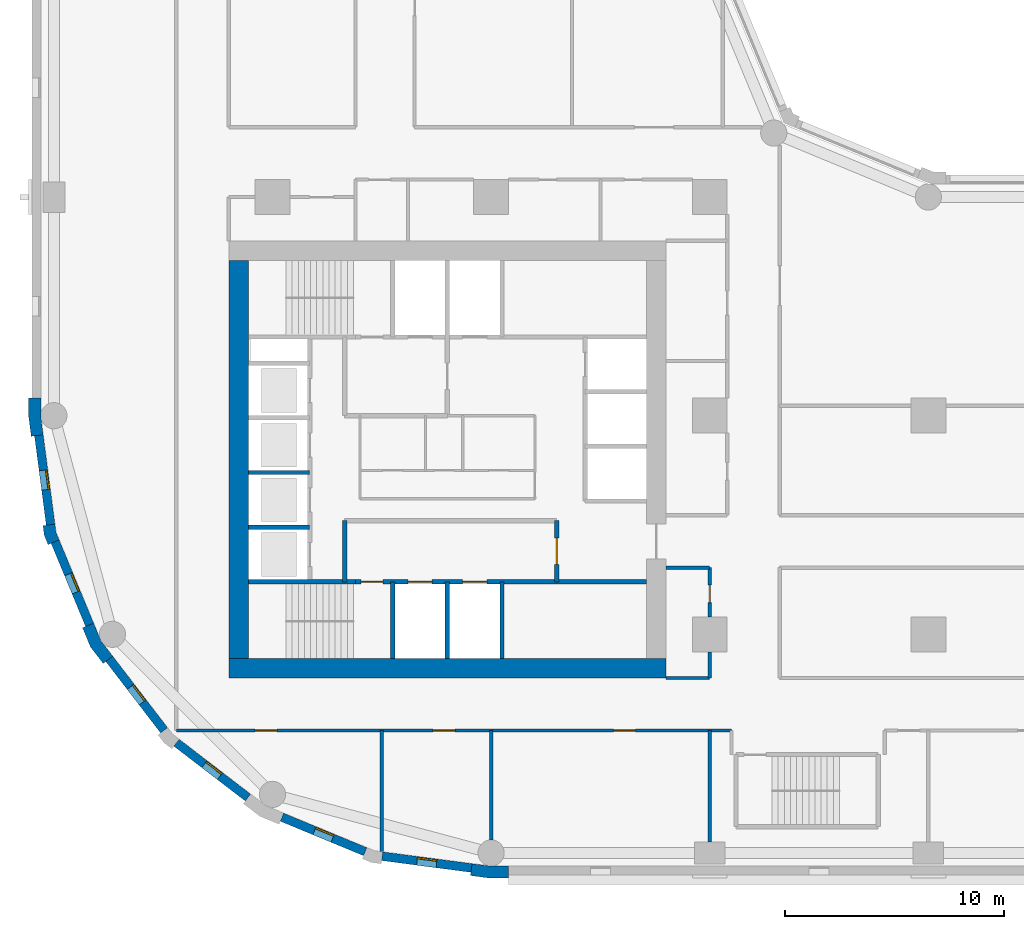
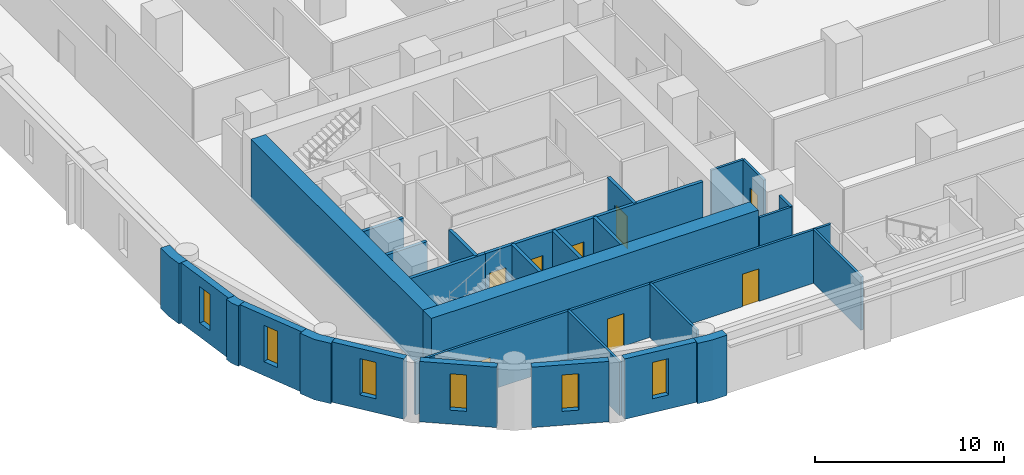
# One storey, part 2 of 10: 29 walls, 8 doors, 6 windows, 14 openings.
"""IFC4 building model written with IfcOpenShell, lengths in metres."""

from ifc_helpers import new_model, si_unit, direction, frame, frame_2d, origin, place, context, subcontext, project, spatial, polyline, rectangle, outline, extrude, material, layer, layer_set, type_object, element, fill, save


model = new_model("IFC4")

# Units and contexts
model_context = context("Model", 3, precision=1e-05, world=origin(), true_north=direction((0.0, 1.0)))
body_context = subcontext(model_context, "Body", "Model", "MODEL_VIEW")
ifc_project = project(units=[si_unit("LENGTHUNIT", "METRE"), si_unit("AREAUNIT", "SQUARE_METRE"), si_unit("VOLUMEUNIT", "CUBIC_METRE"), si_unit("PLANEANGLEUNIT", "RADIAN"), si_unit("MASSUNIT", "GRAM", prefix="KILO")], contexts=[model_context])

# Site, building, storey
site_placement = place(None, origin())
site = spatial("IfcSite", under=ifc_project, at=site_placement, CompositionType="ELEMENT")
building_placement = place(site_placement, origin())
building = spatial("IfcBuilding", under=site, at=building_placement, Name="Qaws Garden Tower", CompositionType="ELEMENT")
storey_placement = place(building_placement, frame((0.0, 0.0, 113.39990234375)))
storey = spatial("IfcBuildingStorey", under=building, at=storey_placement, Name="L28", CompositionType="ELEMENT", Elevation=113.39990234375)

# Wall, opening, window
ifc_material_1 = material(Name="Buff clay facing brick masonry", Category="masonry")
ifc_layer_1 = layer(ifc_material_1, 0.39990234375)
ifc_layer_set_1 = layer_set([ifc_layer_1], Name="Buff clay facing brick masonry")
wall_type_1 = type_object("IfcWallType", Name="Buff brick infill wall 400", PredefinedType="SOLIDWALL", material=ifc_layer_set_1)
wall_1_placement = place(storey_placement, frame((-0.688720703125, 19.102294921875, 0.0), z_axis=(0.0, 0.0, 1.0), x_axis=(0.130514280502, -0.991446429508, 0.0)))
wall_1 = element("IfcWall", 1, at=wall_1_placement, inside=storey, type_object=wall_type_1, Name="E-L28-infill-27", PredefinedType="SOLIDWALL", context=body_context, shape_type="SweptSolid", body=[
    extrude(rectangle(XDim=4.120849609375, YDim=0.39990234375, at=frame_2d((2.060546875, 0.0))), origin(), (0.0, 0.0, 1.0), 3.900146484375),
])
opening_1_placement = place(wall_1_placement, frame((1.610595703125, 0.0, 0.89990234375)))
opening_1 = element("IfcOpeningElement", 2, at=opening_1_placement, cuts=wall_1, Name="Opening W09", PredefinedType="OPENING", context=body_context, shape_type="SweptSolid", body=[
    extrude(rectangle(XDim=0.89990234375, YDim=2.35009765625, at=frame_2d((0.449951171875, 1.175048828125))), frame((0.0, 0.2099609375, 0.0), z_axis=(0.0, -1.0, 0.0), x_axis=(1.0, 0.0, 0.0)), (0.0, 0.0, 1.0), 0.419921875),
])
ifc_material_2 = material(Name="Aluminium framed window, clear glazing", Category="aluminium")
window_type = type_object("IfcWindowType", Name="Slit window 900 x 2350", PartitioningType="SINGLE_PANEL", PredefinedType="WINDOW", material=ifc_material_2)
window_1_placement = place(opening_1_placement, origin())
window_1 = element("IfcWindow", 3, at=window_1_placement, inside=storey, type_object=window_type, Name="E-L28-window-27-0", OverallHeight=2.35009765625, OverallWidth=0.89990234375, PartitioningType="SINGLE_PANEL", PredefinedType="WINDOW", context=body_context, shape_type="SweptSolid", body=[
    extrude(rectangle(XDim=0.89990234375, YDim=2.35009765625, at=frame_2d((0.449951171875, 1.175048828125))), frame((0.0, 0.159912109375, 0.0), z_axis=(0.0, -1.0, 0.0), x_axis=(1.0, 0.0, 0.0)), (0.0, 0.0, 1.0), 0.06005859375),
])
fill(opening_1, window_1)

wall_2_placement = place(storey_placement, frame((0.05712890625, 14.240234375, 0.0), z_axis=(0.0, 0.0, 1.0), x_axis=(0.382721546029, -0.923863744394, 0.0)))
wall_2 = element("IfcWall", 4, at=wall_2_placement, inside=storey, type_object=wall_type_1, Name="E-L28-infill-28", PredefinedType="SOLIDWALL", context=body_context, shape_type="SweptSolid", body=[
    extrude(rectangle(XDim=4.120849609375, YDim=0.39990234375, at=frame_2d((2.060546875, 0.0))), origin(), (0.0, 0.0, 1.0), 3.900146484375),
])
opening_2_placement = place(wall_2_placement, frame((1.610595703125, 0.0, 0.89990234375)))
opening_2 = element("IfcOpeningElement", 5, at=opening_2_placement, cuts=wall_2, Name="Opening W09", PredefinedType="OPENING", context=body_context, shape_type="SweptSolid", body=[
    extrude(rectangle(XDim=0.89990234375, YDim=2.35009765625, at=frame_2d((0.449951171875, 1.175048828125))), frame((0.0, 0.2099609375, 0.0), z_axis=(0.0, -1.0, 0.0), x_axis=(1.0, 0.0, 0.0)), (0.0, 0.0, 1.0), 0.419921875),
])
window_2_placement = place(opening_2_placement, origin())
window_2 = element("IfcWindow", 6, at=window_2_placement, inside=storey, type_object=window_type, Name="E-L28-window-28-0", OverallHeight=2.35009765625, OverallWidth=0.89990234375, PartitioningType="SINGLE_PANEL", PredefinedType="WINDOW", context=body_context, shape_type="SweptSolid", body=[
    extrude(rectangle(XDim=0.89990234375, YDim=2.35009765625, at=frame_2d((0.449951171875, 1.175048828125))), frame((0.0, 0.159912109375, 0.0), z_axis=(0.0, -1.0, 0.0), x_axis=(1.0, 0.0, 0.0)), (0.0, 0.0, 1.0), 0.06005859375),
])
fill(opening_2, window_2)

wall_3_placement = place(storey_placement, frame((2.53173828125, 8.87841796875, 0.0), z_axis=(0.0, 0.0, 1.0), x_axis=(0.608759824817, -0.793354571229, 0.0)))
wall_3 = element("IfcWall", 7, at=wall_3_placement, inside=storey, type_object=wall_type_1, Name="E-L28-infill-29", PredefinedType="SOLIDWALL", context=body_context, shape_type="SweptSolid", body=[
    extrude(rectangle(XDim=4.12109375, YDim=0.39990234375, at=frame_2d((2.060546875, 0.0))), origin(), (0.0, 0.0, 1.0), 3.900146484375),
])
opening_3_placement = place(wall_3_placement, frame((1.610595703125, 0.0, 0.89990234375)))
opening_3 = element("IfcOpeningElement", 8, at=opening_3_placement, cuts=wall_3, Name="Opening W09", PredefinedType="OPENING", context=body_context, shape_type="SweptSolid", body=[
    extrude(rectangle(XDim=0.89990234375, YDim=2.35009765625, at=frame_2d((0.449951171875, 1.175048828125))), frame((0.0, 0.2099609375, 0.0), z_axis=(0.0, -1.0, 0.0), x_axis=(1.0, 0.0, 0.0)), (0.0, 0.0, 1.0), 0.419921875),
])
window_3_placement = place(opening_3_placement, origin())
window_3 = element("IfcWindow", 9, at=window_3_placement, inside=storey, type_object=window_type, Name="E-L28-window-29-0", OverallHeight=2.35009765625, OverallWidth=0.89990234375, PartitioningType="SINGLE_PANEL", PredefinedType="WINDOW", context=body_context, shape_type="SweptSolid", body=[
    extrude(rectangle(XDim=0.89990234375, YDim=2.35009765625, at=frame_2d((0.449951171875, 1.175048828125))), frame((0.0, 0.159912109375, 0.0), z_axis=(0.0, -1.0, 0.0), x_axis=(1.0, 0.0, 0.0)), (0.0, 0.0, 1.0), 0.06005859375),
])
fill(opening_3, window_3)

wall_4_placement = place(storey_placement, frame((5.60888671875, 5.04052734375, 0.0), z_axis=(0.0, 0.0, 1.0), x_axis=(0.793354571229, -0.608759824817, 0.0)))
wall_4 = element("IfcWall", 10, at=wall_4_placement, inside=storey, type_object=wall_type_1, Name="E-L28-infill-30", PredefinedType="SOLIDWALL", context=body_context, shape_type="SweptSolid", body=[
    extrude(rectangle(XDim=4.12109375, YDim=0.39990234375, at=frame_2d((2.060546875, 0.0))), origin(), (0.0, 0.0, 1.0), 3.900146484375),
])
opening_4_placement = place(wall_4_placement, frame((1.610595703125, 0.0, 0.89990234375)))
opening_4 = element("IfcOpeningElement", 11, at=opening_4_placement, cuts=wall_4, Name="Opening W09", PredefinedType="OPENING", context=body_context, shape_type="SweptSolid", body=[
    extrude(rectangle(XDim=0.89990234375, YDim=2.35009765625, at=frame_2d((0.449951171875, 1.175048828125))), frame((0.0, 0.2099609375, 0.0), z_axis=(0.0, -1.0, 0.0), x_axis=(1.0, 0.0, 0.0)), (0.0, 0.0, 1.0), 0.419921875),
])
window_4_placement = place(opening_4_placement, origin())
window_4 = element("IfcWindow", 12, at=window_4_placement, inside=storey, type_object=window_type, Name="E-L28-window-30-0", OverallHeight=2.35009765625, OverallWidth=0.89990234375, PartitioningType="SINGLE_PANEL", PredefinedType="WINDOW", context=body_context, shape_type="SweptSolid", body=[
    extrude(rectangle(XDim=0.89990234375, YDim=2.35009765625, at=frame_2d((0.449951171875, 1.175048828125))), frame((0.0, 0.159912109375, 0.0), z_axis=(0.0, -1.0, 0.0), x_axis=(1.0, 0.0, 0.0)), (0.0, 0.0, 1.0), 0.06005859375),
])
fill(opening_4, window_4)

wall_5_placement = place(storey_placement, frame((10.43310546875, 1.63427734375, 0.0), z_axis=(0.0, 0.0, 1.0), x_axis=(0.923863744394, -0.382721546029, 0.0)))
wall_5 = element("IfcWall", 13, at=wall_5_placement, inside=storey, type_object=wall_type_1, Name="E-L28-infill-31", PredefinedType="SOLIDWALL", context=body_context, shape_type="SweptSolid", body=[
    extrude(rectangle(XDim=4.120849609375, YDim=0.39990234375, at=frame_2d((2.060546875, 0.0))), origin(), (0.0, 0.0, 1.0), 3.900146484375),
])
opening_5_placement = place(wall_5_placement, frame((1.610595703125, 0.0, 0.89990234375)))
opening_5 = element("IfcOpeningElement", 14, at=opening_5_placement, cuts=wall_5, Name="Opening W09", PredefinedType="OPENING", context=body_context, shape_type="SweptSolid", body=[
    extrude(rectangle(XDim=0.89990234375, YDim=2.35009765625, at=frame_2d((0.449951171875, 1.175048828125))), frame((0.0, 0.2099609375, 0.0), z_axis=(0.0, -1.0, 0.0), x_axis=(1.0, 0.0, 0.0)), (0.0, 0.0, 1.0), 0.419921875),
])
window_5_placement = place(opening_5_placement, origin())
window_5 = element("IfcWindow", 15, at=window_5_placement, inside=storey, type_object=window_type, Name="E-L28-window-31-0", OverallHeight=2.35009765625, OverallWidth=0.89990234375, PartitioningType="SINGLE_PANEL", PredefinedType="WINDOW", context=body_context, shape_type="SweptSolid", body=[
    extrude(rectangle(XDim=0.89990234375, YDim=2.35009765625, at=frame_2d((0.449951171875, 1.175048828125))), frame((0.0, 0.159912109375, 0.0), z_axis=(0.0, -1.0, 0.0), x_axis=(1.0, 0.0, 0.0)), (0.0, 0.0, 1.0), 0.06005859375),
])
fill(opening_5, window_5)

wall_6_placement = place(storey_placement, frame((15.0166015625, -0.15087890625, 0.0), z_axis=(0.0, 0.0, 1.0), x_axis=(0.991446429508, -0.130514280502, 0.0)))
wall_6 = element("IfcWall", 16, at=wall_6_placement, inside=storey, type_object=wall_type_1, Name="E-L28-infill-32", PredefinedType="SOLIDWALL", context=body_context, shape_type="SweptSolid", body=[
    extrude(rectangle(XDim=4.120849609375, YDim=0.39990234375, at=frame_2d((2.060546875, 0.0))), origin(), (0.0, 0.0, 1.0), 3.900146484375),
])
opening_6_placement = place(wall_6_placement, frame((1.610595703125, 0.0, 0.89990234375)))
opening_6 = element("IfcOpeningElement", 17, at=opening_6_placement, cuts=wall_6, Name="Opening W09", PredefinedType="OPENING", context=body_context, shape_type="SweptSolid", body=[
    extrude(rectangle(XDim=0.89990234375, YDim=2.35009765625, at=frame_2d((0.449951171875, 1.175048828125))), frame((0.0, 0.2099609375, 0.0), z_axis=(0.0, -1.0, 0.0), x_axis=(1.0, 0.0, 0.0)), (0.0, 0.0, 1.0), 0.419921875),
])
window_6_placement = place(opening_6_placement, origin())
window_6 = element("IfcWindow", 18, at=window_6_placement, inside=storey, type_object=window_type, Name="E-L28-window-32-0", OverallHeight=2.35009765625, OverallWidth=0.89990234375, PartitioningType="SINGLE_PANEL", PredefinedType="WINDOW", context=body_context, shape_type="SweptSolid", body=[
    extrude(rectangle(XDim=0.89990234375, YDim=2.35009765625, at=frame_2d((0.449951171875, 1.175048828125))), frame((0.0, 0.159912109375, 0.0), z_axis=(0.0, -1.0, 0.0), x_axis=(1.0, 0.0, 0.0)), (0.0, 0.0, 1.0), 0.06005859375),
])
fill(opening_6, window_6)

# Walls
ifc_material_3 = material(Name="Buff clay facing brick masonry", Category="masonry")
ifc_layer_2 = layer(ifc_material_3, 0.550048828125)
ifc_layer_set_2 = layer_set([ifc_layer_2], Name="Buff clay facing brick masonry")
wall_type_2 = type_object("IfcWallType", Name="Buff brick kink pier 550 x 600", PredefinedType="SOLIDWALL", material=ifc_layer_set_2)
placement = place(storey_placement, origin())
element("IfcWall", 19, at=placement, inside=storey, type_object=wall_type_2, Name="E-L28-pier-28", PredefinedType="SOLIDWALL", context=body_context, shape_type="SweptSolid", body=[
    extrude(outline(polyline([(-0.34912109375, 14.990478515625), (-0.497802734375, 14.970947265625), (-0.43896484375, 14.5234375), (-0.26611328125, 14.1064453125), (-0.127685546875, 14.163818359375), (0.241943359375, 14.31689453125), (0.096923828125, 14.6669921875), (0.04736328125, 15.042724609375), (-0.34912109375, 14.990478515625)])), origin(), (0.0, 0.0, 1.0), 3.900146484375),
])
ifc_material_4 = material(Name="Buff clay facing brick masonry", Category="masonry")
ifc_layer_3 = layer(ifc_material_4, 0.550048828125)
ifc_layer_set_3 = layer_set([ifc_layer_3], Name="Buff clay facing brick masonry")
wall_type_3 = type_object("IfcWallType", Name="Buff brick pier 550 x 1600", PredefinedType="SOLIDWALL", material=ifc_layer_set_3)
element("IfcWall", 20, at=placement, inside=storey, type_object=wall_type_3, Name="E-L28-pier-00", PredefinedType="SOLIDWALL", context=body_context, shape_type="SweptSolid", body=[
    extrude(outline(polyline([(19.076416015625, -0.886962890625), (19.056640625, -1.03564453125), (19.924560546875, -1.14990234375), (20.800048828125, -1.14990234375), (20.800048828125, -1.0), (20.800048828125, -0.60009765625), (19.960693359375, -0.60009765625), (19.12841796875, -0.490478515625), (19.076416015625, -0.886962890625)])), origin(), (0.0, 0.0, 1.0), 3.900146484375),
])
element("IfcWall", 21, at=placement, inside=storey, type_object=wall_type_3, Name="E-L28-pier-27", PredefinedType="SOLIDWALL", context=body_context, shape_type="SweptSolid", body=[
    extrude(outline(polyline([(-1.0, 20.800048828125), (-1.14990234375, 20.800048828125), (-1.14990234375, 19.924560546875), (-1.03564453125, 19.056640625), (-0.886962890625, 19.076416015625), (-0.490478515625, 19.12841796875), (-0.60009765625, 19.960693359375), (-0.60009765625, 20.800048828125), (-1.0, 20.800048828125)])), origin(), (0.0, 0.0, 1.0), 3.900146484375),
])
element("IfcWall", 22, at=placement, inside=storey, type_object=wall_type_3, Name="E-L28-pier-29", PredefinedType="SOLIDWALL", context=body_context, shape_type="SweptSolid", body=[
    extrude(outline(polyline([(1.449462890625, 10.3564453125), (1.310791015625, 10.299072265625), (1.675048828125, 9.419921875), (2.254150390625, 8.665283203125), (2.373046875, 8.756591796875), (2.6904296875, 9.0), (2.1552734375, 9.697509765625), (1.819091796875, 10.509521484375), (1.449462890625, 10.3564453125)])), origin(), (0.0, 0.0, 1.0), 3.900146484375),
])
ifc_material_5 = material(Name="Concrete C80", Category="concrete")
ifc_layer_4 = layer(ifc_material_5, 0.199951171875)
ifc_layer_set_4 = layer_set([ifc_layer_4], Name="Concrete C80")
wall_type_4 = type_object("IfcWallType", Name="Core shaft wall 200 C80", PredefinedType="SHEAR", material=ifc_layer_set_4)
wall_11_placement = place(storey_placement, frame((8.89990234375, 12.39990234375, 0.0), z_axis=(0.0, 0.0, 1.0), x_axis=(1.0, 0.0, 0.0)))
element("IfcWall", 23, at=wall_11_placement, inside=storey, type_object=wall_type_4, Name="Shaft wall", PredefinedType="SHEAR", context=body_context, shape_type="SweptSolid", body=[
    extrude(rectangle(XDim=4.900146484375, YDim=0.199951171875, at=frame_2d((2.4501953125, 0.0))), origin(), (0.0, 0.0, 1.0), 3.4501953125),
])

# Wall, openings, doors
wall_12_placement = place(storey_placement, frame((13.800048828125, 12.39990234375, 0.0), z_axis=(0.0, 0.0, 1.0), x_axis=(1.0, 0.0, 0.0)))
wall_12 = element("IfcWall", 24, at=wall_12_placement, inside=storey, type_object=wall_type_4, Name="Shaft wall", PredefinedType="SHEAR", context=body_context, shape_type="SweptSolid", body=[
    extrude(rectangle(XDim=13.300048828125, YDim=0.199951171875, at=frame_2d((6.64990234375, 0.0))), origin(), (0.0, 0.0, 1.0), 3.4501953125),
])
opening_7_placement = place(wall_12_placement, frame((2.39990234375, 0.0, 0.0)))
opening_7 = element("IfcOpeningElement", 25, at=opening_7_placement, cuts=wall_12, Name="Opening LD06", PredefinedType="OPENING", context=body_context, shape_type="SweptSolid", body=[
    extrude(rectangle(XDim=1.10009765625, YDim=2.10009765625, at=frame_2d((0.550048828125, 1.050048828125))), frame((0.0, 0.10986328125, 0.0), z_axis=(0.0, -1.0, 0.0), x_axis=(1.0, 0.0, 0.0)), (0.0, 0.0, 1.0), 0.219970703125),
])
opening_8_placement = place(wall_12_placement, frame((4.89990234375, 0.0, 0.0)))
opening_8 = element("IfcOpeningElement", 26, at=opening_8_placement, cuts=wall_12, Name="Opening LD07", PredefinedType="OPENING", context=body_context, shape_type="SweptSolid", body=[
    extrude(rectangle(XDim=1.10009765625, YDim=2.10009765625, at=frame_2d((0.550048828125, 1.050048828125))), frame((0.0, 0.10986328125, 0.0), z_axis=(0.0, -1.0, 0.0), x_axis=(1.0, 0.0, 0.0)), (0.0, 0.0, 1.0), 0.219970703125),
])
opening_9_placement = place(wall_12_placement, frame((0.25, 0.0, 0.0)))
opening_9 = element("IfcOpeningElement", 27, at=opening_9_placement, cuts=wall_12, Name="Opening SD10", PredefinedType="OPENING", context=body_context, shape_type="SweptSolid", body=[
    extrude(rectangle(XDim=1.0, YDim=2.10009765625, at=frame_2d((0.5, 1.050048828125))), frame((0.0, 0.10986328125, 0.0), z_axis=(0.0, -1.0, 0.0), x_axis=(1.0, 0.0, 0.0)), (0.0, 0.0, 1.0), 0.219970703125),
])
ifc_material_6 = material(Name="Steel S235", Category="steel")
door_type_1 = type_object("IfcDoorType", Name="Landing door 1100x2100", OperationType="DOUBLE_DOOR_SLIDING", PredefinedType="DOOR", material=ifc_material_6)
door_1_placement = place(opening_7_placement, origin())
door_1 = element("IfcDoor", 28, at=door_1_placement, inside=storey, type_object=door_type_1, Name="Lift FF1 landing door", OperationType="DOUBLE_DOOR_SLIDING", OverallHeight=2.10009765625, OverallWidth=1.10009765625, PredefinedType="DOOR", context=body_context, shape_type="SweptSolid", body=[
    extrude(rectangle(XDim=1.10009765625, YDim=2.10009765625, at=frame_2d((0.550048828125, 1.050048828125))), frame((0.0, 0.02490234375, 0.0), z_axis=(0.0, -1.0, 0.0), x_axis=(1.0, 0.0, 0.0)), (0.0, 0.0, 1.0), 0.050048828125),
])
fill(opening_7, door_1)
door_2_placement = place(opening_8_placement, origin())
door_2 = element("IfcDoor", 29, at=door_2_placement, inside=storey, type_object=door_type_1, Name="Lift FF2 landing door", OperationType="DOUBLE_DOOR_SLIDING", OverallHeight=2.10009765625, OverallWidth=1.10009765625, PredefinedType="DOOR", context=body_context, shape_type="SweptSolid", body=[
    extrude(rectangle(XDim=1.10009765625, YDim=2.10009765625, at=frame_2d((0.550048828125, 1.050048828125))), frame((0.0, 0.02490234375, 0.0), z_axis=(0.0, -1.0, 0.0), x_axis=(1.0, 0.0, 0.0)), (0.0, 0.0, 1.0), 0.050048828125),
])
fill(opening_8, door_2)
ifc_material_7 = material(Name="Steel S235", Category="steel")
door_type_2 = type_object("IfcDoorType", Name="Stair door 1000x2100", OperationType="SINGLE_SWING_RIGHT", PredefinedType="DOOR", material=ifc_material_7)
door_3_placement = place(opening_9_placement, frame((1.0, 0.0, 0.0), z_axis=(0.0, 0.0, 1.0), x_axis=(-1.0, 0.0, 0.0)))
door_3 = element("IfcDoor", 30, at=door_3_placement, inside=storey, type_object=door_type_2, Name="Stair 1 door", OperationType="SINGLE_SWING_LEFT", OverallHeight=2.10009765625, OverallWidth=1.0, PredefinedType="DOOR", context=body_context, shape_type="SweptSolid", body=[
    extrude(rectangle(XDim=1.0, YDim=2.10009765625, at=frame_2d((0.5, 1.050048828125))), frame((0.0, 0.02490234375, 0.0), z_axis=(0.0, -1.0, 0.0), x_axis=(1.0, 0.0, 0.0)), (0.0, 0.0, 1.0), 0.050048828125),
])
fill(opening_9, door_3)

# Walls
for number, where, z_axis, x_axis, name in (
    (31, (8.89990234375, 14.89990234375, 0.0), (0.0, 0.0, 1.0), (1.0, 0.0, 0.0), "Shaft wall"),
    (32, (8.89990234375, 17.39990234375, 0.0), (0.0, 0.0, 1.0), (1.0, 0.0, 0.0), "Shaft wall"),
    (33, (13.300048828125, 12.39990234375, 0.0), (0.0, 0.0, 1.0), (0.0, 1.0, 0.0), "Shaft wall"),
):
    element("IfcWall", number, at=place(storey_placement, frame(where, z_axis=z_axis, x_axis=x_axis)), inside=storey, type_object=wall_type_4, Name=name, PredefinedType="SHEAR", context=body_context, shape_type="SweptSolid", body=[
        extrude(rectangle(XDim=2.800048828125, YDim=0.199951171875, at=frame_2d((1.39990234375, 0.0))), origin(), (0.0, 0.0, 1.0), 3.4501953125),
    ])
for number, where, z_axis, x_axis, name in (
    (34, (15.5, 8.89990234375, 0.0), (0.0, 0.0, 1.0), (0.0, 1.0, 0.0), "Shaft wall"),
    (35, (18.0, 8.89990234375, 0.0), (0.0, 0.0, 1.0), (0.0, 1.0, 0.0), "Shaft wall"),
    (36, (20.5, 8.89990234375, 0.0), (0.0, 0.0, 1.0), (0.0, 1.0, 0.0), "Shaft wall"),
):
    element("IfcWall", number, at=place(storey_placement, frame(where, z_axis=z_axis, x_axis=x_axis)), inside=storey, type_object=wall_type_4, Name=name, PredefinedType="SHEAR", context=body_context, shape_type="SweptSolid", body=[
        extrude(rectangle(XDim=3.5, YDim=0.199951171875, at=frame_2d((1.75, 0.0))), origin(), (0.0, 0.0, 1.0), 3.4501953125),
    ])

# Wall, opening, door
wall_13_placement = place(storey_placement, frame((23.0, 12.39990234375, 0.0), z_axis=(0.0, 0.0, 1.0), x_axis=(0.0, 1.0, 0.0)))
wall_13 = element("IfcWall", 37, at=wall_13_placement, inside=storey, type_object=wall_type_4, Name="Shaft wall", PredefinedType="SHEAR", context=body_context, shape_type="SweptSolid", body=[
    extrude(rectangle(XDim=2.800048828125, YDim=0.199951171875, at=frame_2d((1.39990234375, 0.0))), origin(), (0.0, 0.0, 1.0), 3.4501953125),
])
opening_10_placement = place(wall_13_placement, frame((0.800048828125, 0.0, 0.0)))
opening_10 = element("IfcOpeningElement", 38, at=opening_10_placement, cuts=wall_13, Name="Opening FD15", PredefinedType="OPENING", context=body_context, shape_type="SweptSolid", body=[
    extrude(rectangle(XDim=1.199951171875, YDim=2.10009765625, at=frame_2d((0.60009765625, 1.050048828125))), frame((0.0, 0.10986328125, 0.0), z_axis=(0.0, -1.0, 0.0), x_axis=(1.0, 0.0, 0.0)), (0.0, 0.0, 1.0), 0.219970703125),
])
ifc_material_8 = material(Name="Steel S235", Category="steel")
door_type_3 = type_object("IfcDoorType", Name="Lobby door 1200x2100", OperationType="DOUBLE_DOOR_SINGLE_SWING", PredefinedType="DOOR", material=ifc_material_8)
door_4_placement = place(opening_10_placement, origin())
door_4 = element("IfcDoor", 39, at=door_4_placement, inside=storey, type_object=door_type_3, Name="Fire-fighting lobby door", OperationType="DOUBLE_DOOR_SINGLE_SWING", OverallHeight=2.10009765625, OverallWidth=1.199951171875, PredefinedType="DOOR", context=body_context, shape_type="SweptSolid", body=[
    extrude(rectangle(XDim=1.199951171875, YDim=2.10009765625, at=frame_2d((0.60009765625, 1.050048828125))), frame((0.0, 0.02490234375, 0.0), z_axis=(0.0, -1.0, 0.0), x_axis=(1.0, 0.0, 0.0)), (0.0, 0.0, 1.0), 0.050048828125),
])
fill(opening_10, door_4)

# Walls
ifc_material_9 = material(Name="Concrete C80", Category="concrete")
ifc_layer_5 = layer(ifc_material_9, 0.89990234375)
ifc_layer_set_5 = layer_set([ifc_layer_5], Name="Concrete C80")
wall_type_5 = type_object("IfcWallType", Name="Core wall 900 C80", PredefinedType="SHEAR", material=ifc_layer_set_5)
wall_14_placement = place(storey_placement, frame((8.0, 8.449951171875, 0.0), z_axis=(0.0, 0.0, 1.0), x_axis=(1.0, 0.0, 0.0)))
element("IfcWall", 40, at=wall_14_placement, inside=storey, type_object=wall_type_5, Name="Core wall L28 south", PredefinedType="SHEAR", context=body_context, shape_type="SweptSolid", body=[
    extrude(rectangle(XDim=20.0, YDim=0.89990234375, at=frame_2d((10.0, 0.0))), origin(), (0.0, 0.0, 1.0), 3.900146484375),
])
wall_15_placement = place(storey_placement, frame((8.449951171875, 27.10009765625, 0.0), z_axis=(0.0, 0.0, 1.0), x_axis=(0.0, -1.0, 0.0)))
element("IfcWall", 41, at=wall_15_placement, inside=storey, type_object=wall_type_5, Name="Core wall L28 west", PredefinedType="SHEAR", context=body_context, shape_type="SweptSolid", body=[
    extrude(rectangle(XDim=18.2001953125, YDim=0.89990234375, at=frame_2d((9.10009765625, 0.0))), origin(), (0.0, 0.0, 1.0), 3.900146484375),
])
ifc_material_10 = material(Name="Gypsum board partition")
ifc_layer_6 = layer(ifc_material_10, 0.14990234375)
ifc_layer_set_6 = layer_set([ifc_layer_6], Name="Gypsum board partition")
wall_type_6 = type_object("IfcWallType", Name="PARTITION 150 EI 60", PredefinedType="PARTITIONING", material=ifc_layer_set_6)
wall_16_placement = place(storey_placement, frame((15.0, 0.06298828125, 0.0), z_axis=(0.0, 0.0, 1.0), x_axis=(0.0, 1.0, 0.0)))
element("IfcWall", 42, at=wall_16_placement, inside=storey, type_object=wall_type_6, Name="O-L28-wall-011", PredefinedType="PARTITIONING", context=body_context, shape_type="SweptSolid", body=[
    extrude(rectangle(XDim=5.537109375, YDim=0.14990234375, at=frame_2d((2.7685546875, 0.0))), origin(), (0.0, 0.0, 1.0), 3.4501953125),
])
wall_17_placement = place(storey_placement, frame((20.0, 0.60009765625, 0.0), z_axis=(0.0, 0.0, 1.0), x_axis=(0.0, 1.0, 0.0)))
element("IfcWall", 43, at=wall_17_placement, inside=storey, type_object=wall_type_6, Name="O-L28-wall-015", PredefinedType="PARTITIONING", context=body_context, shape_type="SweptSolid", body=[
    extrude(rectangle(XDim=5.0, YDim=0.14990234375, at=frame_2d((2.5, 0.0))), origin(), (0.0, 0.0, 1.0), 3.4501953125),
])
wall_18_placement = place(storey_placement, frame((30.0, 0.5, 0.0), z_axis=(0.0, 0.0, 1.0), x_axis=(0.0, 1.0, 0.0)))
element("IfcWall", 44, at=wall_18_placement, inside=storey, type_object=wall_type_6, Name="O-L28-wall-019", PredefinedType="PARTITIONING", context=body_context, shape_type="SweptSolid", body=[
    extrude(rectangle(XDim=5.10009765625, YDim=0.14990234375, at=frame_2d((2.550048828125, 0.0))), origin(), (0.0, 0.0, 1.0), 3.4501953125),
])
wall_19_placement = place(storey_placement, frame((30.0, 8.0, 0.0), z_axis=(0.0, 0.0, 1.0), x_axis=(0.0, 1.0, 0.0)))
element("IfcWall", 45, at=wall_19_placement, inside=storey, type_object=wall_type_6, Name="O-L28-wall-020", PredefinedType="PARTITIONING", context=body_context, shape_type="SweptSolid", body=[
    extrude(rectangle(XDim=1.199951171875, YDim=0.14990234375, at=frame_2d((0.60009765625, 0.0))), origin(), (0.0, 0.0, 1.0), 3.4501953125),
])

# Wall, opening, door
wall_20_placement = place(storey_placement, frame((30.0, 10.800048828125, 0.0), z_axis=(0.0, 0.0, 1.0), x_axis=(0.0, 1.0, 0.0)))
wall_20 = element("IfcWall", 46, at=wall_20_placement, inside=storey, type_object=wall_type_6, Name="O-L28-wall-021", PredefinedType="PARTITIONING", context=body_context, shape_type="SweptSolid", body=[
    extrude(rectangle(XDim=2.25, YDim=0.14990234375, at=frame_2d((1.125, 0.0))), origin(), (0.0, 0.0, 1.0), 3.4501953125),
])
opening_11_placement = place(wall_20_placement, frame((0.64990234375, 0.0, 0.0)))
opening_11 = element("IfcOpeningElement", 47, at=opening_11_placement, cuts=wall_20, Name="Opening A904", PredefinedType="OPENING", context=body_context, shape_type="SweptSolid", body=[
    extrude(rectangle(XDim=0.800048828125, YDim=2.10009765625, at=frame_2d((0.39990234375, 1.050048828125))), frame((0.0, 0.0849609375, 0.0), z_axis=(0.0, -1.0, 0.0), x_axis=(1.0, 0.0, 0.0)), (0.0, 0.0, 1.0), 0.169921875),
])
ifc_material_11 = material(Name="Timber door leaf", Category="wood")
door_type_4 = type_object("IfcDoorType", Name="STORE DOOR 800 X 2100", OperationType="SINGLE_SWING_LEFT", PredefinedType="DOOR", material=ifc_material_11)
door_5_placement = place(opening_11_placement, origin())
door_5 = element("IfcDoor", 48, at=door_5_placement, inside=storey, type_object=door_type_4, Name="O-L28-door-004", OperationType="SINGLE_SWING_LEFT", OverallHeight=2.10009765625, OverallWidth=0.800048828125, PredefinedType="DOOR", context=body_context, shape_type="SweptSolid", body=[
    extrude(rectangle(XDim=0.800048828125, YDim=2.10009765625, at=frame_2d((0.39990234375, 1.050048828125))), frame((0.0, 0.02490234375, 0.0), z_axis=(0.0, -1.0, 0.0), x_axis=(1.0, 0.0, 0.0)), (0.0, 0.0, 1.0), 0.050048828125),
])
fill(opening_11, door_5)

# Wall, openings, doors
wall_21_placement = place(storey_placement, frame((5.60009765625, 5.60009765625, 0.0), z_axis=(0.0, 0.0, 1.0), x_axis=(1.0, 0.0, 0.0)))
wall_21 = element("IfcWall", 49, at=wall_21_placement, inside=storey, type_object=wall_type_6, Name="O-L28-wall-036", PredefinedType="PARTITIONING", context=body_context, shape_type="SweptSolid", body=[
    extrude(rectangle(XDim=25.39990234375, YDim=0.14990234375, at=frame_2d((12.699951171875, 0.0))), origin(), (0.0, 0.0, 1.0), 3.4501953125),
])
opening_12_placement = place(wall_21_placement, frame((3.60009765625, 0.0, 0.0)))
opening_12 = element("IfcOpeningElement", 50, at=opening_12_placement, cuts=wall_21, Name="Opening A902", PredefinedType="OPENING", context=body_context, shape_type="SweptSolid", body=[
    extrude(rectangle(XDim=1.0, YDim=2.10009765625, at=frame_2d((0.5, 1.050048828125))), frame((0.0, 0.0849609375, 0.0), z_axis=(0.0, -1.0, 0.0), x_axis=(1.0, 0.0, 0.0)), (0.0, 0.0, 1.0), 0.169921875),
])
opening_13_placement = place(wall_21_placement, frame((11.75, 0.0, 0.0)))
opening_13 = element("IfcOpeningElement", 51, at=opening_13_placement, cuts=wall_21, Name="Opening A912", PredefinedType="OPENING", context=body_context, shape_type="SweptSolid", body=[
    extrude(rectangle(XDim=1.0, YDim=2.10009765625, at=frame_2d((0.5, 1.050048828125))), frame((0.0, 0.0849609375, 0.0), z_axis=(0.0, -1.0, 0.0), x_axis=(1.0, 0.0, 0.0)), (0.0, 0.0, 1.0), 0.169921875),
])
opening_14_placement = place(wall_21_placement, frame((20.0, 0.0, 0.0)))
opening_14 = element("IfcOpeningElement", 52, at=opening_14_placement, cuts=wall_21, Name="Opening A920", PredefinedType="OPENING", context=body_context, shape_type="SweptSolid", body=[
    extrude(rectangle(XDim=1.0, YDim=2.10009765625, at=frame_2d((0.5, 1.050048828125))), frame((0.0, 0.0849609375, 0.0), z_axis=(0.0, -1.0, 0.0), x_axis=(1.0, 0.0, 0.0)), (0.0, 0.0, 1.0), 0.169921875),
])
ifc_material_12 = material(Name="Timber door leaf", Category="wood")
door_type_5 = type_object("IfcDoorType", Name="TENANCY ENTRANCE DOOR 1000 X 2100", OperationType="SINGLE_SWING_LEFT", PredefinedType="DOOR", material=ifc_material_12)
door_6_placement = place(opening_12_placement, frame((1.0, 0.0, 0.0), z_axis=(0.0, 0.0, 1.0), x_axis=(-1.0, 0.0, 0.0)))
door_6 = element("IfcDoor", 53, at=door_6_placement, inside=storey, type_object=door_type_5, Name="O-L28-door-002", OperationType="SINGLE_SWING_LEFT", OverallHeight=2.10009765625, OverallWidth=1.0, PredefinedType="DOOR", context=body_context, shape_type="SweptSolid", body=[
    extrude(rectangle(XDim=1.0, YDim=2.10009765625, at=frame_2d((0.5, 1.050048828125))), frame((0.0, 0.02490234375, 0.0), z_axis=(0.0, -1.0, 0.0), x_axis=(1.0, 0.0, 0.0)), (0.0, 0.0, 1.0), 0.050048828125),
])
fill(opening_12, door_6)
door_7_placement = place(opening_13_placement, frame((1.0, 0.0, 0.0), z_axis=(0.0, 0.0, 1.0), x_axis=(-1.0, 0.0, 0.0)))
door_7 = element("IfcDoor", 54, at=door_7_placement, inside=storey, type_object=door_type_5, Name="O-L28-door-012", OperationType="SINGLE_SWING_LEFT", OverallHeight=2.10009765625, OverallWidth=1.0, PredefinedType="DOOR", context=body_context, shape_type="SweptSolid", body=[
    extrude(rectangle(XDim=1.0, YDim=2.10009765625, at=frame_2d((0.5, 1.050048828125))), frame((0.0, 0.02490234375, 0.0), z_axis=(0.0, -1.0, 0.0), x_axis=(1.0, 0.0, 0.0)), (0.0, 0.0, 1.0), 0.050048828125),
])
fill(opening_13, door_7)
door_8_placement = place(opening_14_placement, frame((1.0, 0.0, 0.0), z_axis=(0.0, 0.0, 1.0), x_axis=(-1.0, 0.0, 0.0)))
door_8 = element("IfcDoor", 55, at=door_8_placement, inside=storey, type_object=door_type_5, Name="O-L28-door-020", OperationType="SINGLE_SWING_LEFT", OverallHeight=2.10009765625, OverallWidth=1.0, PredefinedType="DOOR", context=body_context, shape_type="SweptSolid", body=[
    extrude(rectangle(XDim=1.0, YDim=2.10009765625, at=frame_2d((0.5, 1.050048828125))), frame((0.0, 0.02490234375, 0.0), z_axis=(0.0, -1.0, 0.0), x_axis=(1.0, 0.0, 0.0)), (0.0, 0.0, 1.0), 0.050048828125),
])
fill(opening_14, door_8)

# Walls
for number, where, z_axis, x_axis, name in (
    (56, (28.0, 8.0, 0.0), (0.0, 0.0, 1.0), (1.0, 0.0, 0.0), "O-L28-wall-038"),
    (57, (28.0, 13.050048828125, 0.0), (0.0, 0.0, 1.0), (1.0, 0.0, 0.0), "O-L28-wall-040"),
):
    element("IfcWall", number, at=place(storey_placement, frame(where, z_axis=z_axis, x_axis=x_axis)), inside=storey, type_object=wall_type_6, Name=name, PredefinedType="PARTITIONING", context=body_context, shape_type="SweptSolid", body=[
        extrude(rectangle(XDim=2.0, YDim=0.14990234375, at=frame_2d((1.0, 0.0))), origin(), (0.0, 0.0, 1.0), 3.4501953125),
    ])

save(model, "model.ifc")
